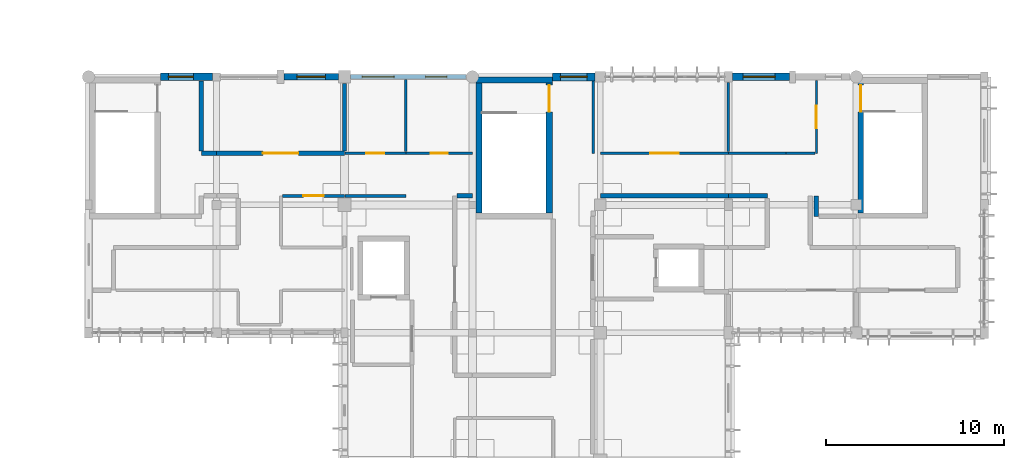
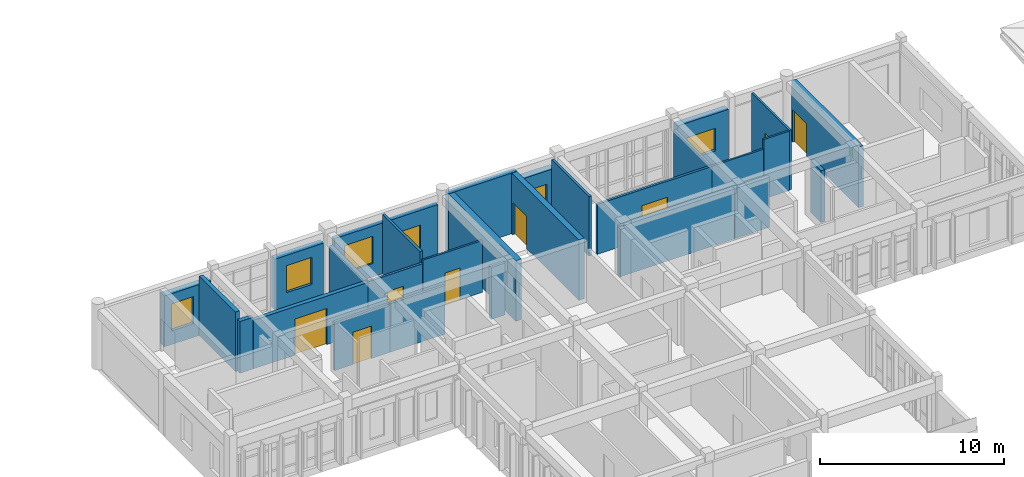
# One storey, part 16 of 19: 28 walls, 8 doors, 6 windows, 14 openings.
"""IFC4 building model written with IfcOpenShell, lengths in metres."""

from ifc_helpers import new_model, si_unit, direction, frame, frame_2d, origin, place, context, subcontext, project, spatial, rectangle, extrude, material, layer, layer_set, type_object, element, fill, save


model = new_model("IFC4")

# Units and contexts
model_context = context("Model", 3, precision=1e-05, world=origin(), true_north=direction((0.0, 1.0)))
body_context = subcontext(model_context, "Body", "Model", "MODEL_VIEW")
ifc_project = project(units=[si_unit("LENGTHUNIT", "METRE"), si_unit("AREAUNIT", "SQUARE_METRE"), si_unit("VOLUMEUNIT", "CUBIC_METRE"), si_unit("PLANEANGLEUNIT", "RADIAN"), si_unit("MASSUNIT", "GRAM", prefix="KILO")], contexts=[model_context])

# Site, building, storey
site_placement = place(None, origin())
site = spatial("IfcSite", under=ifc_project, at=site_placement, CompositionType="ELEMENT")
building_placement = place(site_placement, origin())
building = spatial("IfcBuilding", under=site, at=building_placement, Name="Steenspoor Specialist Clinic", CompositionType="ELEMENT")
storey_placement = place(building_placement, frame((0.0, 0.0, 21.60009765625)))
storey = spatial("IfcBuildingStorey", under=building, at=storey_placement, Name="L05", CompositionType="ELEMENT", Elevation=21.60009765625)

# Wall, opening, window
ifc_material_1 = material(Name="Extruded clay brick masonry", Category="masonry")
ifc_layer_1 = layer(ifc_material_1, 0.3798828125)
ifc_layer_set_1 = layer_set([ifc_layer_1], Name="Extruded clay brick masonry")
wall_type_1 = type_object("IfcWallType", Name="W-BRICK-380", PredefinedType="USERDEFINED", material=ifc_layer_set_1)
wall_1_placement = place(storey_placement, frame((70.590087890625, 108.35009765625, 0.0), z_axis=(0.0, 0.0, 1.0), x_axis=(1.0, 0.0, 0.0)))
wall_1 = element("IfcWall", 1, at=wall_1_placement, inside=storey, type_object=wall_type_1, Name="Exterior Brick Wall EW-V4-L05-0221", ObjectType="CAVITY VENEER", PredefinedType="USERDEFINED", context=body_context, shape_type="SweptSolid", body=[
    extrude(rectangle(XDim=3.059814453125, YDim=0.3798828125, at=frame_2d((1.52978515625, 0.0))), origin(), (0.0, 0.0, 1.0), 3.3798828125),
])
opening_1_placement = place(wall_1_placement, frame((0.72998046875, 0.0, 0.89990234375)))
opening_1 = element("IfcOpeningElement", 2, at=opening_1_placement, cuts=wall_1, Name="Opening WN-07", PredefinedType="OPENING", context=body_context, shape_type="SweptSolid", body=[
    extrude(rectangle(XDim=1.60009765625, YDim=1.800048828125, at=frame_2d((0.800048828125, 0.89990234375))), frame((0.0, 0.199951171875, 0.0), z_axis=(0.0, -1.0, 0.0), x_axis=(1.0, 0.0, 0.0)), (0.0, 0.0, 1.0), 0.39990234375),
])
ifc_material_2 = material(Name="Thermally broken aluminium and low-emissivity glass", Category="aluminium")
window_type_1 = type_object("IfcWindowType", Name="WN-EXT-160X180", PartitioningType="SINGLE_PANEL", PredefinedType="WINDOW", material=ifc_material_2)
window_1_placement = place(opening_1_placement, origin())
window_1 = element("IfcWindow", 3, at=window_1_placement, inside=storey, type_object=window_type_1, Name="Window 0242", OverallHeight=1.800048828125, OverallWidth=1.60009765625, PartitioningType="SINGLE_PANEL", PredefinedType="WINDOW", context=body_context, shape_type="SweptSolid", body=[
    extrude(rectangle(XDim=1.60009765625, YDim=1.800048828125, at=frame_2d((0.800048828125, 0.89990234375))), frame((0.0, 0.030029296875, 0.0), z_axis=(0.0, -1.0, 0.0), x_axis=(1.0, 0.0, 0.0)), (0.0, 0.0, 1.0), 0.06005859375),
])
fill(opening_1, window_1)

ifc_layer_2 = layer(ifc_material_1, 0.409912109375)
ifc_layer_set_2 = layer_set([ifc_layer_2], Name="Extruded clay brick masonry")
wall_type_2 = type_object("IfcWallType", Name="W-BRICK-410", PredefinedType="USERDEFINED", material=ifc_layer_set_2)
wall_2_placement = place(storey_placement, frame((63.64990234375, 108.35009765625, 0.0), z_axis=(0.0, 0.0, 1.0), x_axis=(1.0, 0.0, 0.0)))
wall_2 = element("IfcWall", 4, at=wall_2_placement, inside=storey, type_object=wall_type_2, Name="Exterior Brick Wall EW-V4-L05-0220", ObjectType="CAVITY VENEER", PredefinedType="USERDEFINED", context=body_context, shape_type="SweptSolid", body=[
    extrude(rectangle(XDim=2.925048828125, YDim=0.409912109375, at=frame_2d((1.46240234375, 0.0))), origin(), (0.0, 0.0, 1.0), 3.3798828125),
])
opening_2_placement = place(wall_2_placement, frame((0.43994140625, 0.0, 0.89990234375)))
opening_2 = element("IfcOpeningElement", 5, at=opening_2_placement, cuts=wall_2, Name="Opening WN-06", PredefinedType="OPENING", context=body_context, shape_type="SweptSolid", body=[
    extrude(rectangle(XDim=1.39990234375, YDim=1.800048828125, at=frame_2d((0.699951171875, 0.89990234375))), frame((0.0, 0.21484375, 0.0), z_axis=(0.0, -1.0, 0.0), x_axis=(1.0, 0.0, 0.0)), (0.0, 0.0, 1.0), 0.429931640625),
])
window_type_2 = type_object("IfcWindowType", Name="WN-EXT-140X180", PartitioningType="SINGLE_PANEL", PredefinedType="WINDOW", material=ifc_material_2)
window_2_placement = place(opening_2_placement, origin())
window_2 = element("IfcWindow", 6, at=window_2_placement, inside=storey, type_object=window_type_2, Name="Window 0241", OverallHeight=1.800048828125, OverallWidth=1.39990234375, PartitioningType="SINGLE_PANEL", PredefinedType="WINDOW", context=body_context, shape_type="SweptSolid", body=[
    extrude(rectangle(XDim=1.39990234375, YDim=1.800048828125, at=frame_2d((0.699951171875, 0.89990234375))), frame((0.0, 0.030029296875, 0.0), z_axis=(0.0, -1.0, 0.0), x_axis=(1.0, 0.0, 0.0)), (0.0, 0.0, 1.0), 0.06005859375),
])
fill(opening_2, window_2)

wall_3_placement = place(storey_placement, frame((95.824951171875, 108.35009765625, 0.0), z_axis=(0.0, 0.0, 1.0), x_axis=(1.0, 0.0, 0.0)))
wall_3 = element("IfcWall", 7, at=wall_3_placement, inside=storey, type_object=wall_type_2, Name="Exterior Brick Wall EW-V4-L05-0224", ObjectType="CAVITY VENEER", PredefinedType="USERDEFINED", context=body_context, shape_type="SweptSolid", body=[
    extrude(rectangle(XDim=3.205078125, YDim=0.409912109375, at=frame_2d((1.6025390625, 0.0))), origin(), (0.0, 0.0, 1.0), 3.3798828125),
])
opening_3_placement = place(wall_3_placement, frame((0.6025390625, 0.0, 0.89990234375)))
opening_3 = element("IfcOpeningElement", 8, at=opening_3_placement, cuts=wall_3, Name="Opening WN-13", PredefinedType="OPENING", context=body_context, shape_type="SweptSolid", body=[
    extrude(rectangle(XDim=1.800048828125, YDim=1.5, at=frame_2d((0.89990234375, 0.75))), frame((0.0, 0.21484375, 0.0), z_axis=(0.0, -1.0, 0.0), x_axis=(1.0, 0.0, 0.0)), (0.0, 0.0, 1.0), 0.429931640625),
])
window_type_3 = type_object("IfcWindowType", Name="WN-EXT-180X150", PartitioningType="SINGLE_PANEL", PredefinedType="WINDOW", material=ifc_material_2)
window_3_placement = place(opening_3_placement, origin())
window_3 = element("IfcWindow", 9, at=window_3_placement, inside=storey, type_object=window_type_3, Name="Window 0246", OverallHeight=1.5, OverallWidth=1.800048828125, PartitioningType="SINGLE_PANEL", PredefinedType="WINDOW", context=body_context, shape_type="SweptSolid", body=[
    extrude(rectangle(XDim=1.800048828125, YDim=1.5, at=frame_2d((0.89990234375, 0.75))), frame((0.0, 0.030029296875, 0.0), z_axis=(0.0, -1.0, 0.0), x_axis=(1.0, 0.0, 0.0)), (0.0, 0.0, 1.0), 0.06005859375),
])
fill(opening_3, window_3)

ifc_layer_3 = layer(ifc_material_1, 0.43994140625)
ifc_layer_set_3 = layer_set([ifc_layer_3], Name="Extruded clay brick masonry")
wall_type_3 = type_object("IfcWallType", Name="W-BRICK-440", PredefinedType="USERDEFINED", material=ifc_layer_set_3)
wall_4_placement = place(storey_placement, frame((85.699951171875, 108.35009765625, 0.0), z_axis=(0.0, 0.0, 1.0), x_axis=(1.0, 0.0, 0.0)))
wall_4 = element("IfcWall", 10, at=wall_4_placement, inside=storey, type_object=wall_type_3, Name="Exterior Brick Wall EW-V4-L05-0223", ObjectType="CAVITY VENEER", PredefinedType="USERDEFINED", context=body_context, shape_type="SweptSolid", body=[
    extrude(rectangle(XDim=2.400146484375, YDim=0.43994140625, at=frame_2d((1.2001953125, 0.0))), origin(), (0.0, 0.0, 1.0), 3.2998046875),
])
opening_4_placement = place(wall_4_placement, frame((0.449951171875, 0.0, 0.89990234375)))
opening_4 = element("IfcOpeningElement", 11, at=opening_4_placement, cuts=wall_4, Name="Opening WN-12", PredefinedType="OPENING", context=body_context, shape_type="SweptSolid", body=[
    extrude(rectangle(XDim=1.5, YDim=1.5, at=frame_2d((0.75, 0.75))), frame((0.0, 0.22998046875, 0.0), z_axis=(0.0, -1.0, 0.0), x_axis=(1.0, 0.0, 0.0)), (0.0, 0.0, 1.0), 0.4599609375),
])
window_type_4 = type_object("IfcWindowType", Name="WN-EXT-150X150", PartitioningType="SINGLE_PANEL", PredefinedType="WINDOW", material=ifc_material_2)
window_4_placement = place(opening_4_placement, origin())
window_4 = element("IfcWindow", 12, at=window_4_placement, inside=storey, type_object=window_type_4, Name="Window 0245", OverallHeight=1.5, OverallWidth=1.5, PartitioningType="SINGLE_PANEL", PredefinedType="WINDOW", context=body_context, shape_type="SweptSolid", body=[
    extrude(rectangle(XDim=1.5, YDim=1.5, at=frame_2d((0.75, 0.75))), frame((0.0, 0.030029296875, 0.0), z_axis=(0.0, -1.0, 0.0), x_axis=(1.0, 0.0, 0.0)), (0.0, 0.0, 1.0), 0.06005859375),
])
fill(opening_4, window_4)

# Wall, opening, door
ifc_material_3 = material(Name="Gypsum acoustic clinical partition", Category="gypsum")
ifc_layer_4 = layer(ifc_material_3, 0.14990234375)
ifc_layer_set_4 = layer_set([ifc_layer_4], Name="Gypsum acoustic clinical partition")
wall_type_4 = type_object("IfcWallType", Name="W-CLIN-150", PredefinedType="PARTITIONING", material=ifc_layer_set_4)
wall_5_placement = place(storey_placement, frame((70.52001953125, 101.64990234375, 0.0), z_axis=(0.0, 0.0, 1.0), x_axis=(1.0, 0.0, 0.0)))
wall_5 = element("IfcWall", 13, at=wall_5_placement, inside=storey, type_object=wall_type_4, Name="Interior Partition IW-V4-L05-1993", PredefinedType="PARTITIONING", context=body_context, shape_type="SweptSolid", body=[
    extrude(rectangle(XDim=3.47998046875, YDim=0.14990234375, at=frame_2d((1.739990234375, 0.0))), origin(), (0.0, 0.0, 1.0), 3.219970703125),
])
opening_5_placement = place(wall_5_placement, frame((1.1650390625, 0.0, 0.0)))
opening_5 = element("IfcOpeningElement", 14, at=opening_5_placement, cuts=wall_5, Name="Opening D0315", PredefinedType="OPENING", context=body_context, shape_type="SweptSolid", body=[
    extrude(rectangle(XDim=1.14990234375, YDim=2.14990234375, at=frame_2d((0.574951171875, 1.074951171875))), frame((0.0, 0.0849609375, 0.0), z_axis=(0.0, -1.0, 0.0), x_axis=(1.0, 0.0, 0.0)), (0.0, 0.0, 1.0), 0.169921875),
])
ifc_material_4 = material(Name="Solid-core hardwood clinical door", Category="wood")
door_type_1 = type_object("IfcDoorType", Name="DT-CONS-115X215", OperationType="NOTDEFINED", PredefinedType="DOOR", material=ifc_material_4)
door_1_placement = place(opening_5_placement, origin())
door_1 = element("IfcDoor", 15, at=door_1_placement, inside=storey, type_object=door_type_1, Name="Clinical Door D0315", OperationType="SINGLE_SWING_RIGHT", OverallHeight=2.14990234375, OverallWidth=1.14990234375, PredefinedType="DOOR", context=body_context, shape_type="SweptSolid", body=[
    extrude(rectangle(XDim=1.14990234375, YDim=2.14990234375, at=frame_2d((0.574951171875, 1.074951171875))), frame((0.0, 0.02490234375, 0.0), z_axis=(0.0, -1.0, 0.0), x_axis=(1.0, 0.0, 0.0)), (0.0, 0.0, 1.0), 0.050048828125),
])
fill(opening_5, door_1)

# Wall
wall_6_placement = place(storey_placement, frame((74.014892578125, 101.64990234375, 0.0), z_axis=(0.0, 0.0, 1.0), x_axis=(1.0, 0.0, 0.0)))
element("IfcWall", 16, at=wall_6_placement, inside=storey, type_object=wall_type_4, Name="Interior Partition IW-V4-L05-1994", PredefinedType="PARTITIONING", context=body_context, shape_type="SweptSolid", body=[
    extrude(rectangle(XDim=3.43505859375, YDim=0.14990234375, at=frame_2d((1.717529296875, 0.0))), origin(), (0.0, 0.0, 1.0), 3.219970703125),
])

# Wall, opening, door
wall_7_placement = place(storey_placement, frame((74.014892578125, 104.050048828125, 0.0), z_axis=(0.0, 0.0, 1.0), x_axis=(1.0, 0.0, 0.0)))
wall_7 = element("IfcWall", 17, at=wall_7_placement, inside=storey, type_object=wall_type_4, Name="Interior Partition IW-V4-L05-1995", PredefinedType="PARTITIONING", context=body_context, shape_type="SweptSolid", body=[
    extrude(rectangle(XDim=3.43505859375, YDim=0.14990234375, at=frame_2d((1.717529296875, 0.0))), origin(), (0.0, 0.0, 1.0), 3.219970703125),
])
opening_6_placement = place(wall_7_placement, frame((1.217529296875, 0.0, 0.0)))
opening_6 = element("IfcOpeningElement", 18, at=opening_6_placement, cuts=wall_7, Name="Opening D0317", PredefinedType="OPENING", context=body_context, shape_type="SweptSolid", body=[
    extrude(rectangle(XDim=1.0, YDim=2.14990234375, at=frame_2d((0.5, 1.074951171875))), frame((0.0, 0.0849609375, 0.0), z_axis=(0.0, -1.0, 0.0), x_axis=(1.0, 0.0, 0.0)), (0.0, 0.0, 1.0), 0.169921875),
])
ifc_material_5 = material(Name="Moisture-resistant HPL accessible WC door", Category="wood")
door_type_2 = type_object("IfcDoorType", Name="DT-AWC-100X215", OperationType="NOTDEFINED", PredefinedType="DOOR", material=ifc_material_5)
door_2_placement = place(opening_6_placement, origin())
door_2 = element("IfcDoor", 19, at=door_2_placement, inside=storey, type_object=door_type_2, Name="Clinical Door D0317", OperationType="SINGLE_SWING_RIGHT", OverallHeight=2.14990234375, OverallWidth=1.0, PredefinedType="DOOR", context=body_context, shape_type="SweptSolid", body=[
    extrude(rectangle(XDim=1.0, YDim=2.14990234375, at=frame_2d((0.5, 1.074951171875))), frame((0.0, 0.02490234375, 0.0), z_axis=(0.0, -1.0, 0.0), x_axis=(1.0, 0.0, 0.0)), (0.0, 0.0, 1.0), 0.050048828125),
])
fill(opening_6, door_2)

# Wall
wall_8_placement = place(storey_placement, frame((88.0, 104.050048828125, 0.0), z_axis=(0.0, 0.0, 1.0), x_axis=(0.0, 1.0, 0.0)))
element("IfcWall", 20, at=wall_8_placement, inside=storey, type_object=wall_type_4, Name="Interior Partition IW-V4-L05-1996", PredefinedType="PARTITIONING", context=body_context, shape_type="SweptSolid", body=[
    extrude(rectangle(XDim=4.06494140625, YDim=0.14990234375, at=frame_2d((2.032470703125, 0.0))), origin(), (0.0, 0.0, 1.0), 3.949951171875),
])

# Wall, opening, door
wall_9_placement = place(storey_placement, frame((88.39990234375, 104.050048828125, 0.0), z_axis=(0.0, 0.0, 1.0), x_axis=(1.0, 0.0, 0.0)))
wall_9 = element("IfcWall", 21, at=wall_9_placement, inside=storey, type_object=wall_type_4, Name="Interior Partition IW-V4-L05-1997", PredefinedType="PARTITIONING", context=body_context, shape_type="SweptSolid", body=[
    extrude(rectangle(XDim=7.2001953125, YDim=0.14990234375, at=frame_2d((3.60009765625, 0.0))), origin(), (0.0, 0.0, 1.0), 3.31982421875),
])
opening_7_placement = place(wall_9_placement, frame((2.800048828125, 0.0, 0.0)))
opening_7 = element("IfcOpeningElement", 22, at=opening_7_placement, cuts=wall_9, Name="Opening D0319", PredefinedType="OPENING", context=body_context, shape_type="SweptSolid", body=[
    extrude(rectangle(XDim=1.60009765625, YDim=2.25, at=frame_2d((0.800048828125, 1.125))), frame((0.0, 0.0849609375, 0.0), z_axis=(0.0, -1.0, 0.0), x_axis=(1.0, 0.0, 0.0)), (0.0, 0.0, 1.0), 0.169921875),
])
ifc_material_6 = material(Name="Hygienic HPL clinical timber door", Category="wood")
door_type_3 = type_object("IfcDoorType", Name="DT-PROC-160X225", OperationType="NOTDEFINED", PredefinedType="DOOR", material=ifc_material_6)
door_3_placement = place(opening_7_placement, origin())
door_3 = element("IfcDoor", 23, at=door_3_placement, inside=storey, type_object=door_type_3, Name="Clinical Door D0319", OperationType="SINGLE_SWING_RIGHT", OverallHeight=2.25, OverallWidth=1.60009765625, PredefinedType="DOOR", context=body_context, shape_type="SweptSolid", body=[
    extrude(rectangle(XDim=1.60009765625, YDim=2.25, at=frame_2d((0.800048828125, 1.125))), frame((0.0, 0.02490234375, 0.0), z_axis=(0.0, -1.0, 0.0), x_axis=(1.0, 0.0, 0.0)), (0.0, 0.0, 1.0), 0.050048828125),
])
fill(opening_7, door_3)

# Walls
wall_10_placement = place(storey_placement, frame((77.449951171875, 104.139892578125, 0.0), z_axis=(0.0, 0.0, 1.0), x_axis=(0.0, 1.0, 0.0)))
element("IfcWall", 24, at=wall_10_placement, inside=storey, type_object=wall_type_4, Name="Interior Partition IW-V4-L05-2007", PredefinedType="PARTITIONING", context=body_context, shape_type="SweptSolid", body=[
    extrude(rectangle(XDim=4.065185546875, YDim=0.14990234375, at=frame_2d((2.03271484375, 0.0))), origin(), (0.0, 0.0, 1.0), 3.949951171875),
])
wall_11_placement = place(storey_placement, frame((95.60009765625, 104.139892578125, 0.0), z_axis=(0.0, 0.0, 1.0), x_axis=(0.0, 1.0, 0.0)))
element("IfcWall", 25, at=wall_11_placement, inside=storey, type_object=wall_type_4, Name="Interior Partition IW-V4-L05-2008", PredefinedType="PARTITIONING", context=body_context, shape_type="SweptSolid", body=[
    extrude(rectangle(XDim=3.89501953125, YDim=0.14990234375, at=frame_2d((1.947509765625, 0.0))), origin(), (0.0, 0.0, 1.0), 3.31982421875),
])
ifc_material_7 = material(Name="Concrete C40/50", Category="concrete")
ifc_layer_5 = layer(ifc_material_7, 0.330078125)
ifc_layer_set_5 = layer_set([ifc_layer_5], Name="Concrete C40/50")
wall_type_5 = type_object("IfcWallType", Name="W-ESW-330", PredefinedType="SHEAR", material=ifc_layer_set_5)
wall_12_placement = place(storey_placement, frame((81.39990234375, 108.175048828125, 0.0), z_axis=(0.0, 0.0, 1.0), x_axis=(1.0, 0.0, 0.0)))
element("IfcWall", 26, at=wall_12_placement, inside=storey, type_object=wall_type_5, Name="Core Shear Wall SW-ST-V4C-L05-N", PredefinedType="SHEAR", context=body_context, shape_type="SweptSolid", body=[
    extrude(rectangle(XDim=4.300048828125, YDim=0.330078125, at=frame_2d((2.14990234375, 0.0))), origin(), (0.0, 0.0, 1.0), 4.02001953125),
])

# Wall, opening, door
ifc_material_8 = material(Name="Gypsum studio partition board", Category="gypsum")
ifc_layer_6 = layer(ifc_material_8, 0.1201171875)
ifc_layer_set_6 = layer_set([ifc_layer_6], Name="Gypsum studio partition board")
wall_type_6 = type_object("IfcWallType", Name="W-PART-120", PredefinedType="PARTITIONING", material=ifc_layer_set_6)
wall_13_placement = place(storey_placement, frame((77.465087890625, 104.050048828125, 0.0), z_axis=(0.0, 0.0, 1.0), x_axis=(1.0, 0.0, 0.0)))
wall_13 = element("IfcWall", 27, at=wall_13_placement, inside=storey, type_object=wall_type_6, Name="Interior Partition IW-V4-L05-1998", PredefinedType="PARTITIONING", context=body_context, shape_type="SweptSolid", body=[
    extrude(rectangle(XDim=3.73486328125, YDim=0.1201171875, at=frame_2d((1.867431640625, 0.0))), origin(), (0.0, 0.0, 1.0), 3.43994140625),
])
opening_8_placement = place(wall_13_placement, frame((1.392578125, 0.0, 0.0)))
opening_8 = element("IfcOpeningElement", 28, at=opening_8_placement, cuts=wall_13, Name="Opening D0318", PredefinedType="OPENING", context=body_context, shape_type="SweptSolid", body=[
    extrude(rectangle(XDim=0.949951171875, YDim=2.10009765625, at=frame_2d((0.47509765625, 1.050048828125))), frame((0.0, 0.070068359375, 0.0), z_axis=(0.0, -1.0, 0.0), x_axis=(1.0, 0.0, 0.0)), (0.0, 0.0, 1.0), 0.14013671875),
])
ifc_material_9 = material(Name="Moisture-resistant HPL sanitary door", Category="wood")
door_type_4 = type_object("IfcDoorType", Name="DT-WC-095X210", OperationType="NOTDEFINED", PredefinedType="DOOR", material=ifc_material_9)
door_4_placement = place(opening_8_placement, origin())
door_4 = element("IfcDoor", 29, at=door_4_placement, inside=storey, type_object=door_type_4, Name="Clinical Door D0318", OperationType="SINGLE_SWING_LEFT", OverallHeight=2.10009765625, OverallWidth=0.949951171875, PredefinedType="DOOR", context=body_context, shape_type="SweptSolid", body=[
    extrude(rectangle(XDim=0.949951171875, YDim=2.10009765625, at=frame_2d((0.47509765625, 1.050048828125))), frame((0.0, 0.02490234375, 0.0), z_axis=(0.0, -1.0, 0.0), x_axis=(1.0, 0.0, 0.0)), (0.0, 0.0, 1.0), 0.050048828125),
])
fill(opening_8, door_4)

wall_14_placement = place(storey_placement, frame((100.550048828125, 104.050048828125, 0.0), z_axis=(0.0, 0.0, 1.0), x_axis=(0.0, 1.0, 0.0)))
wall_14 = element("IfcWall", 30, at=wall_14_placement, inside=storey, type_object=wall_type_6, Name="Interior Partition IW-V4-L05-1999", PredefinedType="PARTITIONING", context=body_context, shape_type="SweptSolid", body=[
    extrude(rectangle(XDim=4.094970703125, YDim=0.1201171875, at=frame_2d((2.04736328125, 0.0))), origin(), (0.0, 0.0, 1.0), 3.949951171875),
])
opening_9_placement = place(wall_14_placement, frame((1.422607421875, 0.0, 0.0)))
opening_9 = element("IfcOpeningElement", 31, at=opening_9_placement, cuts=wall_14, Name="Opening D0320", PredefinedType="OPENING", context=body_context, shape_type="SweptSolid", body=[
    extrude(rectangle(XDim=1.25, YDim=2.14990234375, at=frame_2d((0.625, 1.074951171875))), frame((0.0, 0.070068359375, 0.0), z_axis=(0.0, -1.0, 0.0), x_axis=(1.0, 0.0, 0.0)), (0.0, 0.0, 1.0), 0.14013671875),
])
door_type_5 = type_object("IfcDoorType", Name="DT-EXAM-125X215", OperationType="NOTDEFINED", PredefinedType="DOOR", material=ifc_material_6)
door_5_placement = place(opening_9_placement, origin())
door_5 = element("IfcDoor", 32, at=door_5_placement, inside=storey, type_object=door_type_5, Name="Clinical Door D0320", OperationType="SINGLE_SWING_LEFT", OverallHeight=2.14990234375, OverallWidth=1.25, PredefinedType="DOOR", context=body_context, shape_type="SweptSolid", body=[
    extrude(rectangle(XDim=1.25, YDim=2.14990234375, at=frame_2d((0.625, 1.074951171875))), frame((0.0, 0.02490234375, 0.0), z_axis=(0.0, -1.0, 0.0), x_axis=(1.0, 0.0, 0.0)), (0.0, 0.0, 1.0), 0.050048828125),
])
fill(opening_9, door_5)

# Walls
wall_15_placement = place(storey_placement, frame((98.85009765625, 104.050048828125, 0.0), z_axis=(0.0, 0.0, 1.0), x_axis=(1.0, 0.0, 0.0)))
element("IfcWall", 33, at=wall_15_placement, inside=storey, type_object=wall_type_6, Name="Interior Partition IW-V4-L05-2000", PredefinedType="PARTITIONING", context=body_context, shape_type="SweptSolid", body=[
    extrude(rectangle(XDim=1.625, YDim=0.1201171875, at=frame_2d((0.8125, 0.0))), origin(), (0.0, 0.0, 1.0), 3.949951171875),
])
wall_16_placement = place(storey_placement, frame((95.614990234375, 104.050048828125, 0.0), z_axis=(0.0, 0.0, 1.0), x_axis=(1.0, 0.0, 0.0)))
element("IfcWall", 34, at=wall_16_placement, inside=storey, type_object=wall_type_6, Name="Interior Partition IW-V4-L05-2001", PredefinedType="PARTITIONING", context=body_context, shape_type="SweptSolid", body=[
    extrude(rectangle(XDim=3.219970703125, YDim=0.1201171875, at=frame_2d((1.60986328125, 0.0))), origin(), (0.0, 0.0, 1.0), 3.31982421875),
])

# Wall, openings, windows
ifc_layer_7 = layer(ifc_material_1, 0.260009765625)
ifc_layer_set_7 = layer_set([ifc_layer_7], Name="Extruded clay brick masonry")
wall_type_7 = type_object("IfcWallType", Name="W-SCREEN-260", PredefinedType="SOLIDWALL", material=ifc_layer_set_7)
wall_17_placement = place(storey_placement, frame((74.35009765625, 108.35009765625, 0.0), z_axis=(0.0, 0.0, 1.0), x_axis=(1.0, 0.0, 0.0)))
wall_17 = element("IfcWall", 35, at=wall_17_placement, inside=storey, type_object=wall_type_7, Name="Exterior Brick Wall EW-V4-L05-0222", PredefinedType="SOLIDWALL", context=body_context, shape_type="SweptSolid", body=[
    extrude(rectangle(XDim=6.5, YDim=0.260009765625, at=frame_2d((3.25, 0.0))), origin(), (0.0, 0.0, 1.0), 3.3798828125),
])
opening_10_placement = place(wall_17_placement, frame((0.639892578125, 0.0, 0.89990234375)))
opening_10 = element("IfcOpeningElement", 36, at=opening_10_placement, cuts=wall_17, Name="Opening WN-08", PredefinedType="OPENING", context=body_context, shape_type="SweptSolid", body=[
    extrude(rectangle(XDim=1.800048828125, YDim=1.800048828125, at=frame_2d((0.89990234375, 0.89990234375))), frame((0.0, 0.14013671875, 0.0), z_axis=(0.0, -1.0, 0.0), x_axis=(1.0, 0.0, 0.0)), (0.0, 0.0, 1.0), 0.280029296875),
])
opening_11_placement = place(wall_17_placement, frame((4.2099609375, 0.0, 0.89990234375)))
opening_11 = element("IfcOpeningElement", 37, at=opening_11_placement, cuts=wall_17, Name="Opening WN-11", PredefinedType="OPENING", context=body_context, shape_type="SweptSolid", body=[
    extrude(rectangle(XDim=1.199951171875, YDim=1.5, at=frame_2d((0.60009765625, 0.75))), frame((0.0, 0.14013671875, 0.0), z_axis=(0.0, -1.0, 0.0), x_axis=(1.0, 0.0, 0.0)), (0.0, 0.0, 1.0), 0.280029296875),
])
window_type_5 = type_object("IfcWindowType", Name="WN-EXT-120X150", PartitioningType="SINGLE_PANEL", PredefinedType="WINDOW", material=ifc_material_2)
window_5_placement = place(opening_11_placement, origin())
window_5 = element("IfcWindow", 38, at=window_5_placement, inside=storey, type_object=window_type_5, Name="Window 0244", OverallHeight=1.5, OverallWidth=1.199951171875, PartitioningType="SINGLE_PANEL", PredefinedType="WINDOW", context=body_context, shape_type="SweptSolid", body=[
    extrude(rectangle(XDim=1.199951171875, YDim=1.5, at=frame_2d((0.60009765625, 0.75))), frame((0.0, 0.030029296875, 0.0), z_axis=(0.0, -1.0, 0.0), x_axis=(1.0, 0.0, 0.0)), (0.0, 0.0, 1.0), 0.06005859375),
])
fill(opening_11, window_5)
window_type_6 = type_object("IfcWindowType", Name="WN-EXT-180X180", PartitioningType="SINGLE_PANEL", PredefinedType="WINDOW", material=ifc_material_2)
window_6_placement = place(opening_10_placement, origin())
window_6 = element("IfcWindow", 39, at=window_6_placement, inside=storey, type_object=window_type_6, Name="Window 0243", OverallHeight=1.800048828125, OverallWidth=1.800048828125, PartitioningType="SINGLE_PANEL", PredefinedType="WINDOW", context=body_context, shape_type="SweptSolid", body=[
    extrude(rectangle(XDim=1.800048828125, YDim=1.800048828125, at=frame_2d((0.89990234375, 0.89990234375))), frame((0.0, 0.030029296875, 0.0), z_axis=(0.0, -1.0, 0.0), x_axis=(1.0, 0.0, 0.0)), (0.0, 0.0, 1.0), 0.06005859375),
])
fill(opening_10, window_6)

# Walls
ifc_material_10 = material(Name="Fire-rated clay blockwork masonry", Category="masonry")
ifc_layer_8 = layer(ifc_material_10, 0.25)
ifc_layer_set_8 = layer_set([ifc_layer_8], Name="Fire-rated clay blockwork masonry")
wall_type_8 = type_object("IfcWallType", Name="W-SHAFT-250", PredefinedType="PARTITIONING", material=ifc_layer_set_8)
wall_18_placement = place(storey_placement, frame((88.39990234375, 101.64990234375, 0.0), z_axis=(0.0, 0.0, 1.0), x_axis=(1.0, 0.0, 0.0)))
element("IfcWall", 40, at=wall_18_placement, inside=storey, type_object=wall_type_8, Name="Interior Partition IW-V4-L05-1942", PredefinedType="PARTITIONING", context=body_context, shape_type="SweptSolid", body=[
    extrude(rectangle(XDim=7.2001953125, YDim=0.25, at=frame_2d((3.60009765625, 0.0))), origin(), (0.0, 0.0, 1.0), 3.31982421875),
])
wall_19_placement = place(storey_placement, frame((95.614990234375, 101.64990234375, 0.0), z_axis=(0.0, 0.0, 1.0), x_axis=(1.0, 0.0, 0.0)))
element("IfcWall", 41, at=wall_19_placement, inside=storey, type_object=wall_type_8, Name="Interior Partition IW-V4-L05-1943", PredefinedType="PARTITIONING", context=body_context, shape_type="SweptSolid", body=[
    extrude(rectangle(XDim=2.18505859375, YDim=0.25, at=frame_2d((1.092529296875, 0.0))), origin(), (0.0, 0.0, 1.0), 3.31982421875),
])
wall_20_placement = place(storey_placement, frame((80.340087890625, 101.64990234375, 0.0), z_axis=(0.0, 0.0, 1.0), x_axis=(1.0, 0.0, 0.0)))
element("IfcWall", 42, at=wall_20_placement, inside=storey, type_object=wall_type_8, Name="Interior Partition IW-V4-L05-1952", PredefinedType="PARTITIONING", context=body_context, shape_type="SweptSolid", body=[
    extrude(rectangle(XDim=0.85986328125, YDim=0.25, at=frame_2d((0.429931640625, 0.0))), origin(), (0.0, 0.0, 1.0), 3.43994140625),
])
wall_21_placement = place(storey_placement, frame((100.550048828125, 100.5, 0.0), z_axis=(0.0, 0.0, 1.0), x_axis=(0.0, 1.0, 0.0)))
element("IfcWall", 43, at=wall_21_placement, inside=storey, type_object=wall_type_8, Name="Interior Partition IW-V4-L05-1953", PredefinedType="PARTITIONING", context=body_context, shape_type="SweptSolid", body=[
    extrude(rectangle(XDim=1.14990234375, YDim=0.25, at=frame_2d((0.574951171875, 0.0))), origin(), (0.0, 0.0, 1.0), 3.43994140625),
])

# Wall, opening, door
wall_22_placement = place(storey_placement, frame((66.800048828125, 104.050048828125, 0.0), z_axis=(0.0, 0.0, 1.0), x_axis=(1.0, 0.0, 0.0)))
wall_22 = element("IfcWall", 44, at=wall_22_placement, inside=storey, type_object=wall_type_8, Name="Interior Partition IW-V4-L05-1964", PredefinedType="PARTITIONING", context=body_context, shape_type="SweptSolid", body=[
    extrude(rectangle(XDim=7.199951171875, YDim=0.25, at=frame_2d((3.60009765625, 0.0))), origin(), (0.0, 0.0, 1.0), 3.219970703125),
])
opening_12_placement = place(wall_22_placement, frame((2.60009765625, 0.0, 0.0)))
opening_12 = element("IfcOpeningElement", 45, at=opening_12_placement, cuts=wall_22, Name="Opening D0316", PredefinedType="OPENING", context=body_context, shape_type="SweptSolid", body=[
    extrude(rectangle(XDim=2.0, YDim=2.39990234375, at=frame_2d((1.0, 1.199951171875))), frame((0.0, 0.135009765625, 0.0), z_axis=(0.0, -1.0, 0.0), x_axis=(1.0, 0.0, 0.0)), (0.0, 0.0, 1.0), 0.27001953125),
])
ifc_material_11 = material(Name="Fire-rated louvred steel plant door", Category="steel")
door_type_6 = type_object("IfcDoorType", Name="DT-PLANT-200X240", OperationType="NOTDEFINED", PredefinedType="DOOR", material=ifc_material_11)
door_6_placement = place(opening_12_placement, origin())
door_6 = element("IfcDoor", 46, at=door_6_placement, inside=storey, type_object=door_type_6, Name="Clinical Door D0316", OperationType="DOUBLE_DOOR_SINGLE_SWING", OverallHeight=2.39990234375, OverallWidth=2.0, PredefinedType="DOOR", context=body_context, shape_type="SweptSolid", body=[
    extrude(rectangle(XDim=2.0, YDim=2.39990234375, at=frame_2d((1.0, 1.199951171875))), frame((0.0, 0.02490234375, 0.0), z_axis=(0.0, -1.0, 0.0), x_axis=(1.0, 0.0, 0.0)), (0.0, 0.0, 1.0), 0.050048828125),
])
fill(opening_12, door_6)

# Walls
wall_23_placement = place(storey_placement, frame((65.949951171875, 104.050048828125, 0.0), z_axis=(0.0, 0.0, 1.0), x_axis=(1.0, 0.0, 0.0)))
element("IfcWall", 47, at=wall_23_placement, inside=storey, type_object=wall_type_8, Name="Interior Partition IW-V4-L05-1965", PredefinedType="PARTITIONING", context=body_context, shape_type="SweptSolid", body=[
    extrude(rectangle(XDim=0.8349609375, YDim=0.25, at=frame_2d((0.41748046875, 0.0))), origin(), (0.0, 0.0, 1.0), 3.43994140625),
])
wall_24_placement = place(storey_placement, frame((65.949951171875, 104.18994140625, 0.0), z_axis=(0.0, 0.0, 1.0), x_axis=(0.0, 1.0, 0.0)))
element("IfcWall", 48, at=wall_24_placement, inside=storey, type_object=wall_type_8, Name="Interior Partition IW-V4-L05-1966", PredefinedType="PARTITIONING", context=body_context, shape_type="SweptSolid", body=[
    extrude(rectangle(XDim=3.93994140625, YDim=0.25, at=frame_2d((1.969970703125, 0.0))), origin(), (0.0, 0.0, 1.0), 3.949951171875),
])
wall_25_placement = place(storey_placement, frame((74.0, 104.18994140625, 0.0), z_axis=(0.0, 0.0, 1.0), x_axis=(0.0, 1.0, 0.0)))
element("IfcWall", 49, at=wall_25_placement, inside=storey, type_object=wall_type_8, Name="Interior Partition IW-V4-L05-2006", PredefinedType="PARTITIONING", context=body_context, shape_type="SweptSolid", body=[
    extrude(rectangle(XDim=3.795166015625, YDim=0.25, at=frame_2d((1.8974609375, 0.0))), origin(), (0.0, 0.0, 1.0), 3.219970703125),
])

# Wall, opening, door
ifc_layer_9 = layer(ifc_material_7, 0.300048828125)
ifc_layer_set_9 = layer_set([ifc_layer_9], Name="Concrete C40/50")
wall_type_9 = type_object("IfcWallType", Name="W-SW-300", PredefinedType="SHEAR", material=ifc_layer_set_9)
wall_26_placement = place(storey_placement, frame((103.050048828125, 100.699951171875, 0.0), z_axis=(0.0, 0.0, 1.0), x_axis=(0.0, 1.0, 0.0)))
wall_26 = element("IfcWall", 50, at=wall_26_placement, inside=storey, type_object=wall_type_9, Name="Core Shear Wall SW-ST-V4B-L05-W", PredefinedType="SHEAR", context=body_context, shape_type="SweptSolid", body=[
    extrude(rectangle(XDim=7.300048828125, YDim=0.300048828125, at=frame_2d((3.64990234375, 0.0))), origin(), (0.0, 0.0, 1.0), 4.02001953125),
])
opening_13_placement = place(wall_26_placement, frame((5.679931640625, 0.0, 0.0)))
opening_13 = element("IfcOpeningElement", 51, at=opening_13_placement, cuts=wall_26, Name="Opening SD020", PredefinedType="OPENING", context=body_context, shape_type="SweptSolid", body=[
    extrude(rectangle(XDim=1.5, YDim=2.14990234375, at=frame_2d((0.75, 1.074951171875))), frame((0.0, 0.16015625, 0.0), z_axis=(0.0, -1.0, 0.0), x_axis=(1.0, 0.0, 0.0)), (0.0, 0.0, 1.0), 0.320068359375),
])
ifc_material_12 = material(Name="Fire-rated steel acoustic door", Category="steel")
door_type_7 = type_object("IfcDoorType", Name="DT-STAIR-150X215", OperationType="NOTDEFINED", PredefinedType="DOOR", material=ifc_material_12)
door_7_placement = place(opening_13_placement, origin())
door_7 = element("IfcDoor", 52, at=door_7_placement, inside=storey, type_object=door_type_7, Name="Exit Stair Fire Door SD020", OperationType="SINGLE_SWING_LEFT", OverallHeight=2.14990234375, OverallWidth=1.5, PredefinedType="DOOR", context=body_context, shape_type="SweptSolid", body=[
    extrude(rectangle(XDim=1.5, YDim=2.14990234375, at=frame_2d((0.75, 1.074951171875))), frame((0.0, 0.02490234375, 0.0), z_axis=(0.0, -1.0, 0.0), x_axis=(1.0, 0.0, 0.0)), (0.0, 0.0, 1.0), 0.050048828125),
])
fill(opening_13, door_7)

# Wall
ifc_layer_10 = layer(ifc_material_7, 0.35009765625)
ifc_layer_set_10 = layer_set([ifc_layer_10], Name="Concrete C40/50")
wall_type_10 = type_object("IfcWallType", Name="W-SW-350", PredefinedType="SHEAR", material=ifc_layer_set_10)
wall_27_placement = place(storey_placement, frame((81.574951171875, 100.699951171875, 0.0), z_axis=(0.0, 0.0, 1.0), x_axis=(0.0, 1.0, 0.0)))
element("IfcWall", 53, at=wall_27_placement, inside=storey, type_object=wall_type_10, Name="Core Shear Wall SW-ST-V4C-L05-W", PredefinedType="SHEAR", context=body_context, shape_type="SweptSolid", body=[
    extrude(rectangle(XDim=7.300048828125, YDim=0.35009765625, at=frame_2d((3.64990234375, 0.0))), origin(), (0.0, 0.0, 1.0), 4.02001953125),
])

# Wall, opening, door
wall_28_placement = place(storey_placement, frame((85.52490234375, 100.699951171875, 0.0), z_axis=(0.0, 0.0, 1.0), x_axis=(0.0, 1.0, 0.0)))
wall_28 = element("IfcWall", 54, at=wall_28_placement, inside=storey, type_object=wall_type_10, Name="Core Shear Wall SW-ST-V4C-L05-E", PredefinedType="SHEAR", context=body_context, shape_type="SweptSolid", body=[
    extrude(rectangle(XDim=7.300048828125, YDim=0.35009765625, at=frame_2d((3.64990234375, 0.0))), origin(), (0.0, 0.0, 1.0), 4.02001953125),
])
opening_14_placement = place(wall_28_placement, frame((5.679931640625, 0.0, 0.0)))
opening_14 = element("IfcOpeningElement", 55, at=opening_14_placement, cuts=wall_28, Name="Opening SD026", PredefinedType="OPENING", context=body_context, shape_type="SweptSolid", body=[
    extrude(rectangle(XDim=1.5, YDim=2.14990234375, at=frame_2d((0.75, 1.074951171875))), frame((0.0, 0.18505859375, 0.0), z_axis=(0.0, -1.0, 0.0), x_axis=(1.0, 0.0, 0.0)), (0.0, 0.0, 1.0), 0.3701171875),
])
door_8_placement = place(opening_14_placement, origin())
door_8 = element("IfcDoor", 56, at=door_8_placement, inside=storey, type_object=door_type_7, Name="Exit Stair Fire Door SD026", OperationType="SINGLE_SWING_LEFT", OverallHeight=2.14990234375, OverallWidth=1.5, PredefinedType="DOOR", context=body_context, shape_type="SweptSolid", body=[
    extrude(rectangle(XDim=1.5, YDim=2.14990234375, at=frame_2d((0.75, 1.074951171875))), frame((0.0, 0.02490234375, 0.0), z_axis=(0.0, -1.0, 0.0), x_axis=(1.0, 0.0, 0.0)), (0.0, 0.0, 1.0), 0.050048828125),
])
fill(opening_14, door_8)

save(model, "model.ifc")
